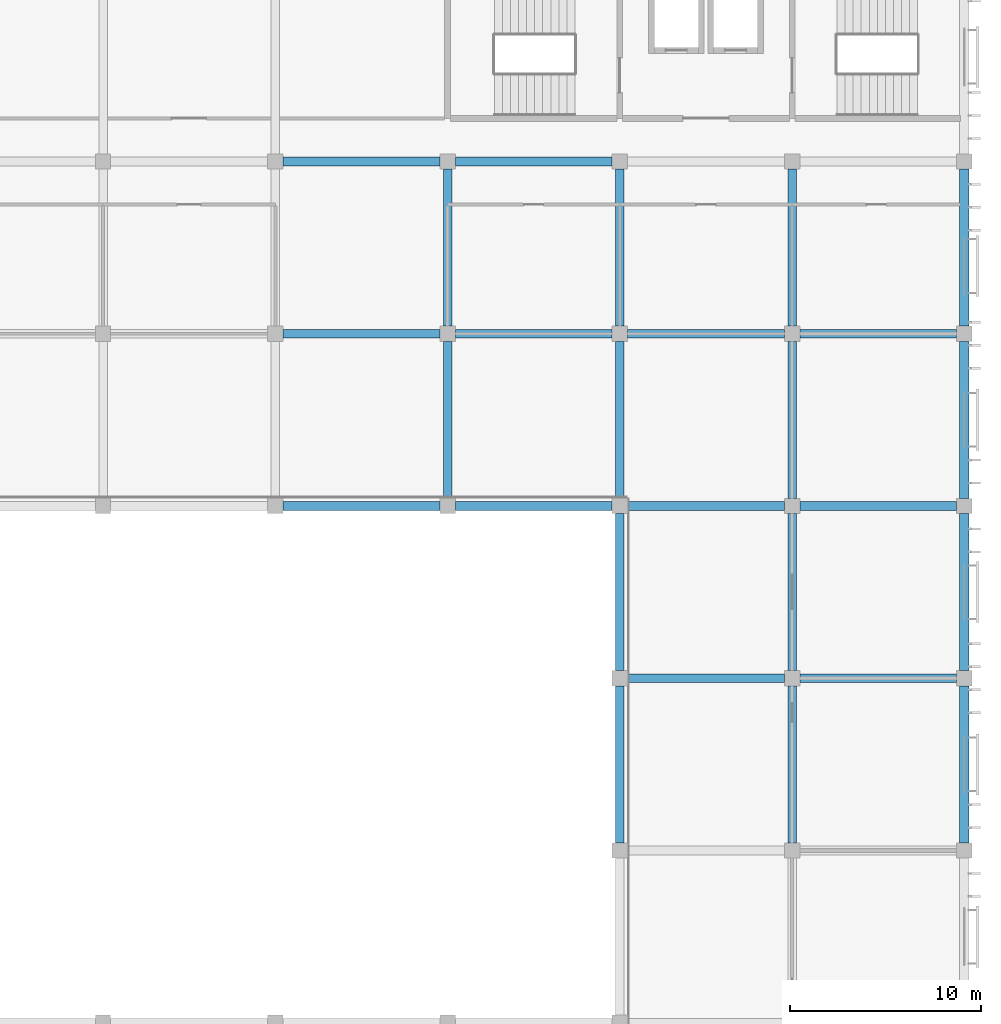
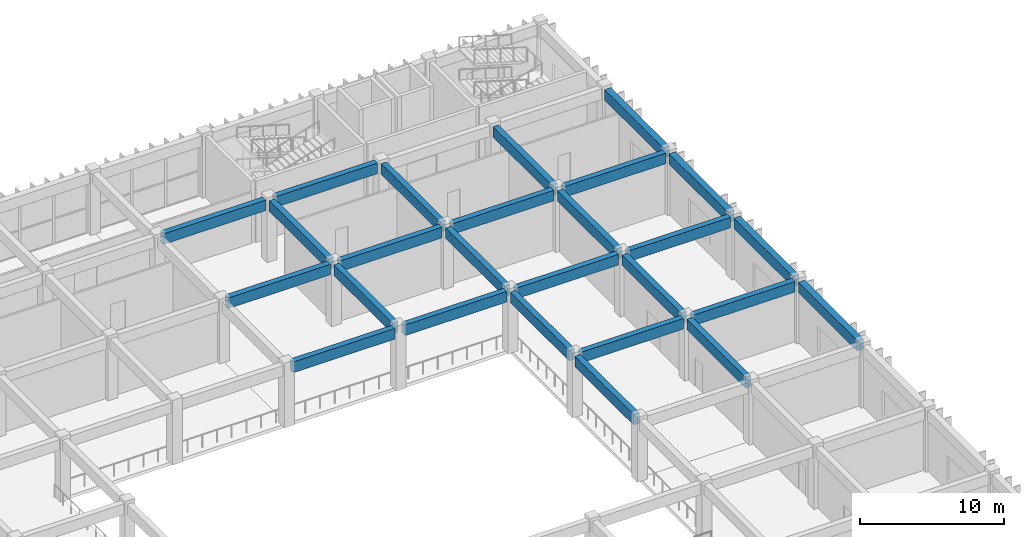
# One storey, part 217 of 437: 26 beams.
"""IFC4 building model written with IfcOpenShell, lengths in metres."""

from ifc_helpers import new_model, si_unit, direction, frame, origin, origin_2d, place, context, subcontext, project, spatial, rectangle, extrude, material, material_profile, profile_set, type_object, element, save


model = new_model("IFC4")

# Units and contexts
model_context = context("Model", 3, precision=1e-05, world=origin(), true_north=direction((0.0, 1.0)))
body_context = subcontext(model_context, "Body", "Model", "MODEL_VIEW")
ifc_project = project(units=[si_unit("LENGTHUNIT", "METRE"), si_unit("AREAUNIT", "SQUARE_METRE"), si_unit("VOLUMEUNIT", "CUBIC_METRE"), si_unit("PLANEANGLEUNIT", "RADIAN"), si_unit("MASSUNIT", "GRAM", prefix="KILO")], contexts=[model_context])

# Site, building, storey
site_placement = place(None, origin())
site = spatial("IfcSite", under=ifc_project, at=site_placement, CompositionType="ELEMENT")
building_placement = place(site_placement, origin())
building = spatial("IfcBuilding", under=site, at=building_placement, Name="Opaline Strait Convention Centre", CompositionType="ELEMENT")
storey_placement = place(building_placement, frame((0.0, 0.0, 11.5)))
storey = spatial("IfcBuildingStorey", under=building, at=storey_placement, Name="L02", CompositionType="ELEMENT", Elevation=11.5)

# Beams
ifc_material = material(Name="Concrete C35", Category="concrete")
ifc_material_profile_1 = material_profile(ifc_material, rectangle(XDim=0.449951171875, YDim=0.89990234375, at=origin_2d()), Name="RC 450x900")
ifc_profile_set_1 = profile_set([ifc_material_profile_1], Name="Concrete C35")
beam_type_1 = type_object("IfcBeamType", Name="RC beam 450x900 C35", PredefinedType="BEAM", material=ifc_profile_set_1)
for number, where, z_axis, x_axis, name in (
    (1, (342.39990234375, 144.0, 4.77001953125), (1.0, 0.0, 0.0), (0.0, 1.0, 0.0), "XB1 L02 39/S-40/S"),
    (2, (351.39990234375, 144.0, 4.77001953125), (1.0, 0.0, 0.0), (0.0, 1.0, 0.0), "XB1 L02 40/S-41/S"),
    (3, (324.39990234375, 153.0, 4.77001953125), (1.0, 0.0, 0.0), (0.0, 1.0, 0.0), "XB1 L02 37/T-38/T"),
    (4, (333.39990234375, 153.0, 4.77001953125), (1.0, 0.0, 0.0), (0.0, 1.0, 0.0), "XB1 L02 38/T-39/T"),
    (5, (342.39990234375, 153.0, 4.77001953125), (1.0, 0.0, 0.0), (0.0, 1.0, 0.0), "XB1 L02 39/T-40/T"),
    (6, (351.39990234375, 153.0, 4.77001953125), (1.0, 0.0, 0.0), (0.0, 1.0, 0.0), "XB1 L02 40/T-41/T"),
    (7, (324.39990234375, 162.0, 4.77001953125), (1.0, 0.0, 0.0), (0.0, 1.0, 0.0), "XB1 L02 37/U-38/U"),
    (8, (333.39990234375, 162.0, 4.77001953125), (1.0, 0.0, 0.0), (0.0, 1.0, 0.0), "XB1 L02 38/U-39/U"),
    (9, (342.39990234375, 162.0, 4.77001953125), (1.0, 0.0, 0.0), (0.0, 1.0, 0.0), "XB1 L02 39/U-40/U"),
    (10, (351.39990234375, 162.0, 4.77001953125), (1.0, 0.0, 0.0), (0.0, 1.0, 0.0), "XB1 L02 40/U-41/U"),
    (11, (324.39990234375, 171.0, 4.77001953125), (1.0, 0.0, 0.0), (0.0, 1.0, 0.0), "XB1 L02 37/V-38/V"),
    (12, (333.39990234375, 171.0, 4.77001953125), (1.0, 0.0, 0.0), (0.0, 1.0, 0.0), "XB1 L02 38/V-39/V"),
    (13, (333.0, 153.39990234375, 4.77001953125), (0.0, 1.0, 0.0), (-1.0, 0.0, 0.0), "XB1 L02 38/T-38/U"),
    (14, (333.0, 162.39990234375, 4.77001953125), (0.0, 1.0, 0.0), (-1.0, 0.0, 0.0), "XB1 L02 38/U-38/V"),
    (15, (342.0, 135.39990234375, 4.77001953125), (0.0, 1.0, 0.0), (-1.0, 0.0, 0.0), "XB1 L02 39/R-39/S"),
    (16, (342.0, 144.39990234375, 4.77001953125), (0.0, 1.0, 0.0), (-1.0, 0.0, 0.0), "XB1 L02 39/S-39/T"),
    (17, (342.0, 153.39990234375, 4.77001953125), (0.0, 1.0, 0.0), (-1.0, 0.0, 0.0), "XB1 L02 39/T-39/U"),
    (18, (342.0, 162.39990234375, 4.77001953125), (0.0, 1.0, 0.0), (-1.0, 0.0, 0.0), "XB1 L02 39/U-39/V"),
    (19, (351.0, 135.39990234375, 4.77001953125), (0.0, 1.0, 0.0), (-1.0, 0.0, 0.0), "XB1 L02 40/R-40/S"),
    (20, (351.0, 144.39990234375, 4.77001953125), (0.0, 1.0, 0.0), (-1.0, 0.0, 0.0), "XB1 L02 40/S-40/T"),
    (21, (351.0, 153.39990234375, 4.77001953125), (0.0, 1.0, 0.0), (-1.0, 0.0, 0.0), "XB1 L02 40/T-40/U"),
    (22, (351.0, 162.39990234375, 4.77001953125), (0.0, 1.0, 0.0), (-1.0, 0.0, 0.0), "XB1 L02 40/U-40/V"),
):
    element("IfcBeam", number, at=place(storey_placement, frame(where, z_axis=z_axis, x_axis=x_axis)), inside=storey, type_object=beam_type_1, Name=name, PredefinedType="BEAM", context=body_context, shape_type="SweptSolid", body=[
        extrude(rectangle(XDim=0.449951171875, YDim=0.89990234375, at=origin_2d()), origin(), (0.0, 0.0, 1.0), 8.2001953125),
    ])
ifc_material_profile_2 = material_profile(ifc_material, rectangle(XDim=0.5, YDim=0.89990234375, at=origin_2d()), Name="RC 500x900")
ifc_profile_set_2 = profile_set([ifc_material_profile_2], Name="Concrete C35")
beam_type_2 = type_object("IfcBeamType", Name="RC edge beam 500x900 C35", PredefinedType="BEAM", material=ifc_profile_set_2)
for number, where, z_axis, x_axis, name in (
    (23, (360.0, 135.39990234375, 4.77001953125), (0.0, 1.0, 0.0), (-1.0, 0.0, 0.0), "MRB2 L02 41/R-41/S"),
    (24, (360.0, 144.39990234375, 4.77001953125), (0.0, 1.0, 0.0), (-1.0, 0.0, 0.0), "MRB2 L02 41/S-41/T"),
    (25, (360.0, 153.39990234375, 4.77001953125), (0.0, 1.0, 0.0), (-1.0, 0.0, 0.0), "MRB2 L02 41/T-41/U"),
    (26, (360.0, 162.39990234375, 4.77001953125), (0.0, 1.0, 0.0), (-1.0, 0.0, 0.0), "MRB2 L02 41/U-41/V"),
):
    element("IfcBeam", number, at=place(storey_placement, frame(where, z_axis=z_axis, x_axis=x_axis)), inside=storey, type_object=beam_type_2, Name=name, PredefinedType="BEAM", context=body_context, shape_type="SweptSolid", body=[
        extrude(rectangle(XDim=0.5, YDim=0.89990234375, at=origin_2d()), origin(), (0.0, 0.0, 1.0), 8.2001953125),
    ])

save(model, "model.ifc")
